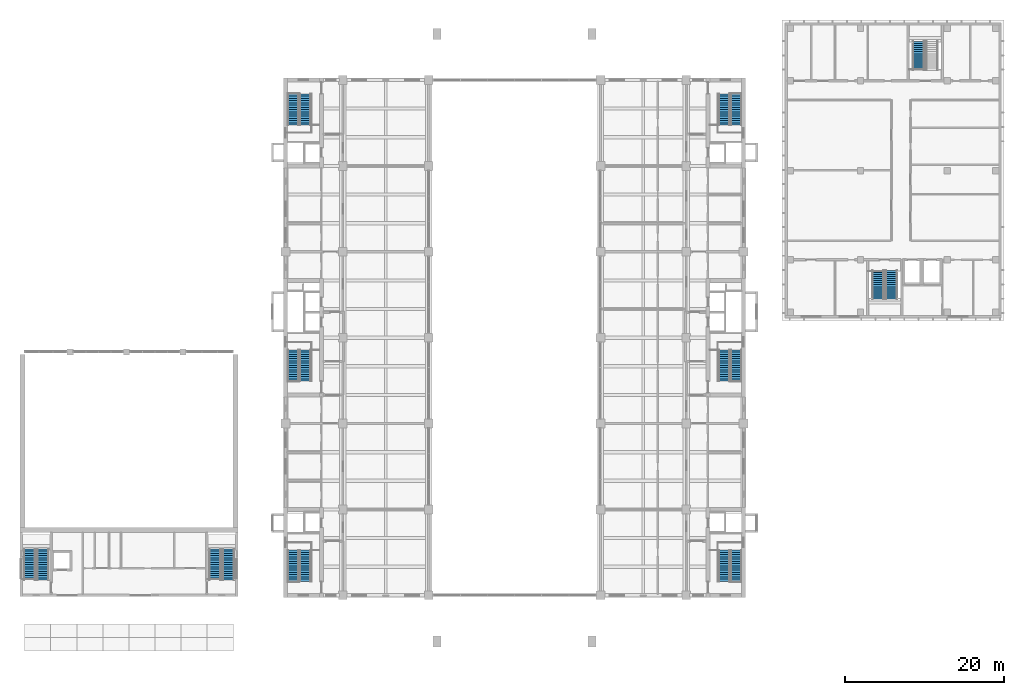
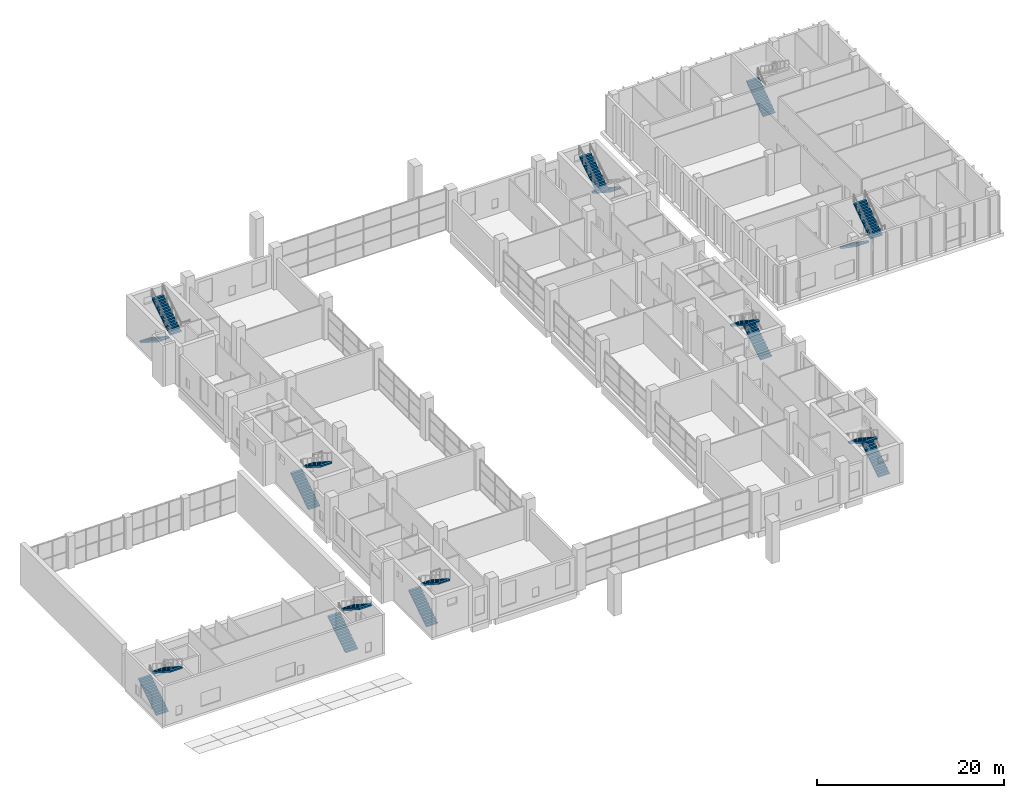
# One storey, part 27 of 33: 19 stair flights, 10 elements without a shape of their own.
"""IFC4 building model written with IfcOpenShell, lengths in metres."""

from ifc_helpers import new_model, si_unit, direction, frame, origin, place, context, subcontext, project, spatial, polyline, outline, extrude, material, type_object, element, aggregate, save


model = new_model("IFC4")

# Units and contexts
model_context = context("Model", 3, precision=1e-05, world=origin(), true_north=direction((0.0, 1.0)))
body_context = subcontext(model_context, "Body", "Model", "MODEL_VIEW")
ifc_project = project(units=[si_unit("LENGTHUNIT", "METRE"), si_unit("AREAUNIT", "SQUARE_METRE"), si_unit("VOLUMEUNIT", "CUBIC_METRE"), si_unit("PLANEANGLEUNIT", "RADIAN"), si_unit("MASSUNIT", "GRAM", prefix="KILO")], contexts=[model_context])

# Site, building, storey
site_placement = place(None, origin())
site = spatial("IfcSite", under=ifc_project, at=site_placement, CompositionType="ELEMENT")
building_placement = place(site_placement, origin())
building = spatial("IfcBuilding", under=site, at=building_placement, Name="Basin Gate Institute", CompositionType="ELEMENT")
storey_placement = place(building_placement, frame((0.0, 0.0, 6.0)))
storey = spatial("IfcBuildingStorey", under=building, at=storey_placement, Name="L01", CompositionType="ELEMENT", Elevation=6.0)

# Stair, stair flights
ifc_material_1 = material(Name="Concrete 40 MPa", Category="concrete")
stair_type_1 = type_object("IfcStairType", Name="Block stair ST", PredefinedType="HALF_TURN_STAIR", material=ifc_material_1)
stair_1_placement = place(storey_placement, origin())
stair_1 = element("IfcStair", 1, at=stair_1_placement, inside=storey, type_object=stair_type_1, material=ifc_material_1, Name="Theatre stair ST-T2 L01", PredefinedType="HALF_TURN_STAIR")
ifc_material_2 = material(Name="Concrete 40 MPa", Category="concrete")
stair_flight_type_1 = type_object("IfcStairFlightType", Name="Block stair flight", PredefinedType="STRAIGHT", material=ifc_material_2)
stair_flight_1_placement = place(storey_placement, frame((28.987548828125, 37.0, 0.0), z_axis=(0.0, 0.0, 1.0), x_axis=(0.0, 1.0, 0.0)))
stair_flight_1 = element("IfcStairFlight", 2, at=stair_flight_1_placement, type_object=stair_flight_type_1, material=ifc_material_2, Name="ST-T2 flight 1", NumberOfRisers=15, NumberOfTreads=14, PredefinedType="STRAIGHT", RiserHeight=0.18, TreadLength=0.28, context=body_context, shape_type="SweptSolid", body=[
    extrude(outline(polyline([(0.0, 0.0), (0.0, 0.179931640625), (0.280029296875, 0.179931640625), (0.280029296875, 0.360107421875), (0.56005859375, 0.360107421875), (0.56005859375, 0.5400390625), (0.840087890625, 0.5400390625), (0.840087890625, 0.719970703125), (1.1201171875, 0.719970703125), (1.1201171875, 0.89990234375), (1.39990234375, 0.89990234375), (1.39990234375, 1.080078125), (1.679931640625, 1.080078125), (1.679931640625, 1.260009765625), (1.9599609375, 1.260009765625), (1.9599609375, 1.43994140625), (2.239990234375, 1.43994140625), (2.239990234375, 1.6201171875), (2.52001953125, 1.6201171875), (2.52001953125, 1.800048828125), (2.800048828125, 1.800048828125), (2.800048828125, 1.97998046875), (3.080078125, 1.97998046875), (3.080078125, 2.159912109375), (3.360107421875, 2.159912109375), (3.360107421875, 2.340087890625), (3.639892578125, 2.340087890625), (3.639892578125, 2.52001953125), (3.919921875, 2.52001953125), (3.919921875, 2.699951171875), (3.919921875, 2.341796875), (0.277099609375, 0.0), (0.0, 0.0)])), frame((0.0, 0.75, 0.0), z_axis=(0.0, -1.0, 0.0), x_axis=(1.0, 0.0, 0.0)), (0.0, 0.0, 1.0), 1.5),
])
stair_flight_2_placement = place(storey_placement, frame((30.6875, 40.919921875, 2.699951171875), z_axis=(0.0, 0.0, 1.0), x_axis=(0.0, -1.0, 0.0)))
stair_flight_2 = element("IfcStairFlight", 3, at=stair_flight_2_placement, type_object=stair_flight_type_1, material=ifc_material_2, Name="ST-T2 flight 2", NumberOfRisers=15, NumberOfTreads=14, PredefinedType="STRAIGHT", RiserHeight=0.18, TreadLength=0.28, context=body_context, shape_type="SweptSolid", body=[
    extrude(outline(polyline([(0.0, 0.0), (0.0, 0.179931640625), (0.280029296875, 0.179931640625), (0.280029296875, 0.360107421875), (0.56005859375, 0.360107421875), (0.56005859375, 0.5400390625), (0.840087890625, 0.5400390625), (0.840087890625, 0.719970703125), (1.1201171875, 0.719970703125), (1.1201171875, 0.89990234375), (1.39990234375, 0.89990234375), (1.39990234375, 1.080078125), (1.679931640625, 1.080078125), (1.679931640625, 1.260009765625), (1.9599609375, 1.260009765625), (1.9599609375, 1.43994140625), (2.239990234375, 1.43994140625), (2.239990234375, 1.6201171875), (2.52001953125, 1.6201171875), (2.52001953125, 1.800048828125), (2.800048828125, 1.800048828125), (2.800048828125, 1.97998046875), (3.080078125, 1.97998046875), (3.080078125, 2.159912109375), (3.360107421875, 2.159912109375), (3.360107421875, 2.340087890625), (3.639892578125, 2.340087890625), (3.639892578125, 2.52001953125), (3.919921875, 2.52001953125), (3.919921875, 2.699951171875), (3.919921875, 2.341796875), (0.277099609375, 0.0), (0.0, 0.0)])), frame((0.0, 0.75, 0.0), z_axis=(0.0, -1.0, 0.0), x_axis=(1.0, 0.0, 0.0)), (0.0, 0.0, 1.0), 1.5),
])
aggregate(stair_1, [stair_flight_1, stair_flight_2])

stair_2_placement = place(storey_placement, origin())
stair_2 = element("IfcStair", 4, at=stair_2_placement, inside=storey, type_object=stair_type_1, material=ifc_material_1, Name="Theatre stair ST-T4 L01", PredefinedType="HALF_TURN_STAIR")
stair_flight_3_placement = place(storey_placement, frame((52.3125, 37.0, 0.0), z_axis=(0.0, 0.0, 1.0), x_axis=(0.0, 1.0, 0.0)))
stair_flight_3 = element("IfcStairFlight", 5, at=stair_flight_3_placement, type_object=stair_flight_type_1, material=ifc_material_2, Name="ST-T4 flight 1", NumberOfRisers=15, NumberOfTreads=14, PredefinedType="STRAIGHT", RiserHeight=0.18, TreadLength=0.28, context=body_context, shape_type="SweptSolid", body=[
    extrude(outline(polyline([(0.0, 0.0), (0.0, 0.179931640625), (0.280029296875, 0.179931640625), (0.280029296875, 0.360107421875), (0.56005859375, 0.360107421875), (0.56005859375, 0.5400390625), (0.840087890625, 0.5400390625), (0.840087890625, 0.719970703125), (1.1201171875, 0.719970703125), (1.1201171875, 0.89990234375), (1.39990234375, 0.89990234375), (1.39990234375, 1.080078125), (1.679931640625, 1.080078125), (1.679931640625, 1.260009765625), (1.9599609375, 1.260009765625), (1.9599609375, 1.43994140625), (2.239990234375, 1.43994140625), (2.239990234375, 1.6201171875), (2.52001953125, 1.6201171875), (2.52001953125, 1.800048828125), (2.800048828125, 1.800048828125), (2.800048828125, 1.97998046875), (3.080078125, 1.97998046875), (3.080078125, 2.159912109375), (3.360107421875, 2.159912109375), (3.360107421875, 2.340087890625), (3.639892578125, 2.340087890625), (3.639892578125, 2.52001953125), (3.919921875, 2.52001953125), (3.919921875, 2.699951171875), (3.919921875, 2.341796875), (0.277099609375, 0.0), (0.0, 0.0)])), frame((0.0, 0.75, 0.0), z_axis=(0.0, -1.0, 0.0), x_axis=(1.0, 0.0, 0.0)), (0.0, 0.0, 1.0), 1.5),
])
stair_flight_4_placement = place(storey_placement, frame((54.012451171875, 40.919921875, 2.699951171875), z_axis=(0.0, 0.0, 1.0), x_axis=(0.0, -1.0, 0.0)))
stair_flight_4 = element("IfcStairFlight", 6, at=stair_flight_4_placement, type_object=stair_flight_type_1, material=ifc_material_2, Name="ST-T4 flight 2", NumberOfRisers=15, NumberOfTreads=14, PredefinedType="STRAIGHT", RiserHeight=0.18, TreadLength=0.28, context=body_context, shape_type="SweptSolid", body=[
    extrude(outline(polyline([(0.0, 0.0), (0.0, 0.179931640625), (0.280029296875, 0.179931640625), (0.280029296875, 0.360107421875), (0.56005859375, 0.360107421875), (0.56005859375, 0.5400390625), (0.840087890625, 0.5400390625), (0.840087890625, 0.719970703125), (1.1201171875, 0.719970703125), (1.1201171875, 0.89990234375), (1.39990234375, 0.89990234375), (1.39990234375, 1.080078125), (1.679931640625, 1.080078125), (1.679931640625, 1.260009765625), (1.9599609375, 1.260009765625), (1.9599609375, 1.43994140625), (2.239990234375, 1.43994140625), (2.239990234375, 1.6201171875), (2.52001953125, 1.6201171875), (2.52001953125, 1.800048828125), (2.800048828125, 1.800048828125), (2.800048828125, 1.97998046875), (3.080078125, 1.97998046875), (3.080078125, 2.159912109375), (3.360107421875, 2.159912109375), (3.360107421875, 2.340087890625), (3.639892578125, 2.340087890625), (3.639892578125, 2.52001953125), (3.919921875, 2.52001953125), (3.919921875, 2.699951171875), (3.919921875, 2.341796875), (0.277099609375, 0.0), (0.0, 0.0)])), frame((0.0, 0.75, 0.0), z_axis=(0.0, -1.0, 0.0), x_axis=(1.0, 0.0, 0.0)), (0.0, 0.0, 1.0), 1.5),
])
aggregate(stair_2, [stair_flight_3, stair_flight_4])

stair_3_placement = place(storey_placement, origin())
stair_3 = element("IfcStair", 7, at=stair_3_placement, inside=storey, type_object=stair_type_1, material=ifc_material_1, Name="Clean block stair ST-C2 L01", PredefinedType="HALF_TURN_STAIR")
stair_flight_5_placement = place(storey_placement, frame((135.699951171875, 75.97509765625, 0.0), z_axis=(0.0, 0.0, 1.0), x_axis=(0.0, -1.0, 0.0)))
stair_flight_5 = element("IfcStairFlight", 8, at=stair_flight_5_placement, type_object=stair_flight_type_1, material=ifc_material_2, Name="ST-C2 flight 1", NumberOfRisers=15, NumberOfTreads=14, PredefinedType="STRAIGHT", RiserHeight=0.18, TreadLength=0.26, context=body_context, shape_type="SweptSolid", body=[
    extrude(outline(polyline([(0.0, 0.0), (0.0, 0.179931640625), (0.260009765625, 0.179931640625), (0.260009765625, 0.360107421875), (0.52001953125, 0.360107421875), (0.52001953125, 0.5400390625), (0.780029296875, 0.5400390625), (0.780029296875, 0.719970703125), (1.0400390625, 0.719970703125), (1.0400390625, 0.89990234375), (1.300048828125, 0.89990234375), (1.300048828125, 1.080078125), (1.56005859375, 1.080078125), (1.56005859375, 1.260009765625), (1.820068359375, 1.260009765625), (1.820068359375, 1.43994140625), (2.080078125, 1.43994140625), (2.080078125, 1.6201171875), (2.340087890625, 1.6201171875), (2.340087890625, 1.800048828125), (2.60009765625, 1.800048828125), (2.60009765625, 1.97998046875), (2.860107421875, 1.97998046875), (2.860107421875, 2.159912109375), (3.1201171875, 2.159912109375), (3.1201171875, 2.340087890625), (3.3798828125, 2.340087890625), (3.3798828125, 2.52001953125), (3.639892578125, 2.52001953125), (3.639892578125, 2.699951171875), (3.639892578125, 2.337646484375), (0.263427734375, 0.0), (0.0, 0.0)])), frame((0.0, 0.75, 0.0), z_axis=(0.0, -1.0, 0.0), x_axis=(1.0, 0.0, 0.0)), (0.0, 0.0, 1.0), 1.5),
])
stair_flight_6_placement = place(storey_placement, frame((137.39990234375, 72.3349609375, 2.699951171875), z_axis=(0.0, 0.0, 1.0), x_axis=(0.0, 1.0, 0.0)))
stair_flight_6 = element("IfcStairFlight", 9, at=stair_flight_6_placement, type_object=stair_flight_type_1, material=ifc_material_2, Name="ST-C2 flight 2", NumberOfRisers=15, NumberOfTreads=14, PredefinedType="STRAIGHT", RiserHeight=0.18, TreadLength=0.26, context=body_context, shape_type="SweptSolid", body=[
    extrude(outline(polyline([(0.0, 0.0), (0.0, 0.179931640625), (0.260009765625, 0.179931640625), (0.260009765625, 0.360107421875), (0.52001953125, 0.360107421875), (0.52001953125, 0.5400390625), (0.780029296875, 0.5400390625), (0.780029296875, 0.719970703125), (1.0400390625, 0.719970703125), (1.0400390625, 0.89990234375), (1.300048828125, 0.89990234375), (1.300048828125, 1.080078125), (1.56005859375, 1.080078125), (1.56005859375, 1.260009765625), (1.820068359375, 1.260009765625), (1.820068359375, 1.43994140625), (2.080078125, 1.43994140625), (2.080078125, 1.6201171875), (2.340087890625, 1.6201171875), (2.340087890625, 1.800048828125), (2.60009765625, 1.800048828125), (2.60009765625, 1.97998046875), (2.860107421875, 1.97998046875), (2.860107421875, 2.159912109375), (3.1201171875, 2.159912109375), (3.1201171875, 2.340087890625), (3.3798828125, 2.340087890625), (3.3798828125, 2.52001953125), (3.639892578125, 2.52001953125), (3.639892578125, 2.699951171875), (3.639892578125, 2.337646484375), (0.263427734375, 0.0), (0.0, 0.0)])), frame((0.0, 0.75, 0.0), z_axis=(0.0, -1.0, 0.0), x_axis=(1.0, 0.0, 0.0)), (0.0, 0.0, 1.0), 1.5),
])
aggregate(stair_3, [stair_flight_5, stair_flight_6])

# Stair, stair flight
stair_4_placement = place(storey_placement, origin())
stair_4 = element("IfcStair", 10, at=stair_4_placement, inside=storey, type_object=stair_type_1, material=ifc_material_1, Name="Clean block stair ST-C6 L01", PredefinedType="HALF_TURN_STAIR")
stair_flight_7_placement = place(storey_placement, frame((140.800048828125, 101.125, 0.0), z_axis=(0.0, 0.0, 1.0), x_axis=(0.0, 1.0, 0.0)))
stair_flight_7 = element("IfcStairFlight", 11, at=stair_flight_7_placement, type_object=stair_flight_type_1, material=ifc_material_2, Name="ST-C6 flight 1", NumberOfRisers=15, NumberOfTreads=14, PredefinedType="STRAIGHT", RiserHeight=0.18, TreadLength=0.26, context=body_context, shape_type="SweptSolid", body=[
    extrude(outline(polyline([(0.0, 0.0), (0.0, 0.179931640625), (0.260009765625, 0.179931640625), (0.260009765625, 0.360107421875), (0.52001953125, 0.360107421875), (0.52001953125, 0.5400390625), (0.780029296875, 0.5400390625), (0.780029296875, 0.719970703125), (1.0400390625, 0.719970703125), (1.0400390625, 0.89990234375), (1.300048828125, 0.89990234375), (1.300048828125, 1.080078125), (1.56005859375, 1.080078125), (1.56005859375, 1.260009765625), (1.820068359375, 1.260009765625), (1.820068359375, 1.43994140625), (2.080078125, 1.43994140625), (2.080078125, 1.6201171875), (2.340087890625, 1.6201171875), (2.340087890625, 1.800048828125), (2.60009765625, 1.800048828125), (2.60009765625, 1.97998046875), (2.860107421875, 1.97998046875), (2.860107421875, 2.159912109375), (3.1201171875, 2.159912109375), (3.1201171875, 2.340087890625), (3.3798828125, 2.340087890625), (3.3798828125, 2.52001953125), (3.639892578125, 2.52001953125), (3.639892578125, 2.699951171875), (3.639892578125, 2.337646484375), (0.263427734375, 0.0), (0.0, 0.0)])), frame((0.0, 0.75, 0.0), z_axis=(0.0, -1.0, 0.0), x_axis=(1.0, 0.0, 0.0)), (0.0, 0.0, 1.0), 1.5),
])
aggregate(stair_4, [stair_flight_7])

# Stair, stair flights
ifc_material_3 = material(Name="Concrete 40 MPa", Category="concrete")
stair_type_2 = type_object("IfcStairType", Name="Stair ST", PredefinedType="HALF_TURN_STAIR", material=ifc_material_3)
stair_5_placement = place(storey_placement, origin())
stair_5 = element("IfcStair", 12, at=stair_5_placement, inside=storey, type_object=stair_type_2, material=ifc_material_3, Name="Special safe stair ST-WS L01", PredefinedType="HALF_TURN_STAIR")
ifc_material_4 = material(Name="Concrete 40 MPa", Category="concrete")
stair_flight_type_2 = type_object("IfcStairFlightType", Name="Stair flight FL", PredefinedType="STRAIGHT", material=ifc_material_4)
stair_flight_8_placement = place(storey_placement, frame((62.14990234375, 36.85009765625, 0.0), z_axis=(0.0, 0.0, 1.0), x_axis=(0.0, 1.0, 0.0)))
stair_flight_8 = element("IfcStairFlight", 13, at=stair_flight_8_placement, type_object=stair_flight_type_2, material=ifc_material_4, Name="Stair flight ST-WS-F1 L01", NumberOfRisers=15, NumberOfTreads=14, PredefinedType="STRAIGHT", RiserHeight=0.18, TreadLength=0.28, context=body_context, shape_type="SweptSolid", body=[
    extrude(outline(polyline([(0.0, 0.0), (0.0, 0.179931640625), (0.280029296875, 0.179931640625), (0.280029296875, 0.360107421875), (0.56005859375, 0.360107421875), (0.56005859375, 0.5400390625), (0.840087890625, 0.5400390625), (0.840087890625, 0.719970703125), (1.1201171875, 0.719970703125), (1.1201171875, 0.89990234375), (1.39990234375, 0.89990234375), (1.39990234375, 1.080078125), (1.679931640625, 1.080078125), (1.679931640625, 1.260009765625), (1.9599609375, 1.260009765625), (1.9599609375, 1.43994140625), (2.239990234375, 1.43994140625), (2.239990234375, 1.6201171875), (2.52001953125, 1.6201171875), (2.52001953125, 1.800048828125), (2.800048828125, 1.800048828125), (2.800048828125, 1.97998046875), (3.080078125, 1.97998046875), (3.080078125, 2.159912109375), (3.360107421875, 2.159912109375), (3.360107421875, 2.340087890625), (3.639892578125, 2.340087890625), (3.639892578125, 2.52001953125), (3.919921875, 2.52001953125), (3.919921875, 2.699951171875), (3.919921875, 2.341796875), (0.277099609375, 0.0), (0.0, 0.0)])), frame((0.0, 0.699951171875, 0.0), z_axis=(0.0, -1.0, 0.0), x_axis=(1.0, 0.0, 0.0)), (0.0, 0.0, 1.0), 1.39990234375),
])
stair_flight_9_placement = place(storey_placement, frame((63.64990234375, 40.77001953125, 2.699951171875), z_axis=(0.0, 0.0, 1.0), x_axis=(0.0, -1.0, 0.0)))
stair_flight_9 = element("IfcStairFlight", 14, at=stair_flight_9_placement, type_object=stair_flight_type_2, material=ifc_material_4, Name="Stair flight ST-WS-F2 L01", NumberOfRisers=15, NumberOfTreads=14, PredefinedType="STRAIGHT", RiserHeight=0.18, TreadLength=0.28, context=body_context, shape_type="SweptSolid", body=[
    extrude(outline(polyline([(0.0, 0.0), (0.0, 0.179931640625), (0.280029296875, 0.179931640625), (0.280029296875, 0.360107421875), (0.56005859375, 0.360107421875), (0.56005859375, 0.5400390625), (0.840087890625, 0.5400390625), (0.840087890625, 0.719970703125), (1.1201171875, 0.719970703125), (1.1201171875, 0.89990234375), (1.39990234375, 0.89990234375), (1.39990234375, 1.080078125), (1.679931640625, 1.080078125), (1.679931640625, 1.260009765625), (1.9599609375, 1.260009765625), (1.9599609375, 1.43994140625), (2.239990234375, 1.43994140625), (2.239990234375, 1.6201171875), (2.52001953125, 1.6201171875), (2.52001953125, 1.800048828125), (2.800048828125, 1.800048828125), (2.800048828125, 1.97998046875), (3.080078125, 1.97998046875), (3.080078125, 2.159912109375), (3.360107421875, 2.159912109375), (3.360107421875, 2.340087890625), (3.639892578125, 2.340087890625), (3.639892578125, 2.52001953125), (3.919921875, 2.52001953125), (3.919921875, 2.699951171875), (3.919921875, 2.341796875), (0.277099609375, 0.0), (0.0, 0.0)])), frame((0.0, 0.699951171875, 0.0), z_axis=(0.0, -1.0, 0.0), x_axis=(1.0, 0.0, 0.0)), (0.0, 0.0, 1.0), 1.39990234375),
])
aggregate(stair_5, [stair_flight_8, stair_flight_9])

stair_6_placement = place(storey_placement, origin())
stair_6 = element("IfcStair", 15, at=stair_6_placement, inside=storey, type_object=stair_type_2, material=ifc_material_3, Name="Special safe stair ST-WM L01", PredefinedType="HALF_TURN_STAIR")
stair_flight_10_placement = place(storey_placement, frame((62.14990234375, 62.050048828125, 0.0), z_axis=(0.0, 0.0, 1.0), x_axis=(0.0, 1.0, 0.0)))
stair_flight_10 = element("IfcStairFlight", 16, at=stair_flight_10_placement, type_object=stair_flight_type_2, material=ifc_material_4, Name="Stair flight ST-WM-F1 L01", NumberOfRisers=15, NumberOfTreads=14, PredefinedType="STRAIGHT", RiserHeight=0.18, TreadLength=0.28, context=body_context, shape_type="SweptSolid", body=[
    extrude(outline(polyline([(0.0, 0.0), (0.0, 0.179931640625), (0.280029296875, 0.179931640625), (0.280029296875, 0.360107421875), (0.56005859375, 0.360107421875), (0.56005859375, 0.5400390625), (0.840087890625, 0.5400390625), (0.840087890625, 0.719970703125), (1.1201171875, 0.719970703125), (1.1201171875, 0.89990234375), (1.39990234375, 0.89990234375), (1.39990234375, 1.080078125), (1.679931640625, 1.080078125), (1.679931640625, 1.260009765625), (1.9599609375, 1.260009765625), (1.9599609375, 1.43994140625), (2.239990234375, 1.43994140625), (2.239990234375, 1.6201171875), (2.52001953125, 1.6201171875), (2.52001953125, 1.800048828125), (2.800048828125, 1.800048828125), (2.800048828125, 1.97998046875), (3.080078125, 1.97998046875), (3.080078125, 2.159912109375), (3.360107421875, 2.159912109375), (3.360107421875, 2.340087890625), (3.639892578125, 2.340087890625), (3.639892578125, 2.52001953125), (3.919921875, 2.52001953125), (3.919921875, 2.699951171875), (3.919921875, 2.341796875), (0.277099609375, 0.0), (0.0, 0.0)])), frame((0.0, 0.699951171875, 0.0), z_axis=(0.0, -1.0, 0.0), x_axis=(1.0, 0.0, 0.0)), (0.0, 0.0, 1.0), 1.39990234375),
])
stair_flight_11_placement = place(storey_placement, frame((63.64990234375, 65.969970703125, 2.699951171875), z_axis=(0.0, 0.0, 1.0), x_axis=(0.0, -1.0, 0.0)))
stair_flight_11 = element("IfcStairFlight", 17, at=stair_flight_11_placement, type_object=stair_flight_type_2, material=ifc_material_4, Name="Stair flight ST-WM-F2 L01", NumberOfRisers=15, NumberOfTreads=14, PredefinedType="STRAIGHT", RiserHeight=0.18, TreadLength=0.28, context=body_context, shape_type="SweptSolid", body=[
    extrude(outline(polyline([(0.0, 0.0), (0.0, 0.179931640625), (0.280029296875, 0.179931640625), (0.280029296875, 0.360107421875), (0.56005859375, 0.360107421875), (0.56005859375, 0.5400390625), (0.840087890625, 0.5400390625), (0.840087890625, 0.719970703125), (1.1201171875, 0.719970703125), (1.1201171875, 0.89990234375), (1.39990234375, 0.89990234375), (1.39990234375, 1.080078125), (1.679931640625, 1.080078125), (1.679931640625, 1.260009765625), (1.9599609375, 1.260009765625), (1.9599609375, 1.43994140625), (2.239990234375, 1.43994140625), (2.239990234375, 1.6201171875), (2.52001953125, 1.6201171875), (2.52001953125, 1.800048828125), (2.800048828125, 1.800048828125), (2.800048828125, 1.97998046875), (3.080078125, 1.97998046875), (3.080078125, 2.159912109375), (3.360107421875, 2.159912109375), (3.360107421875, 2.340087890625), (3.639892578125, 2.340087890625), (3.639892578125, 2.52001953125), (3.919921875, 2.52001953125), (3.919921875, 2.699951171875), (3.919921875, 2.341796875), (0.277099609375, 0.0), (0.0, 0.0)])), frame((0.0, 0.699951171875, 0.0), z_axis=(0.0, -1.0, 0.0), x_axis=(1.0, 0.0, 0.0)), (0.0, 0.0, 1.0), 1.39990234375),
])
aggregate(stair_6, [stair_flight_10, stair_flight_11])

stair_7_placement = place(storey_placement, origin())
stair_7 = element("IfcStair", 18, at=stair_7_placement, inside=storey, type_object=stair_type_2, material=ifc_material_3, Name="Special safe stair ST-WN L01", PredefinedType="HALF_TURN_STAIR")
stair_flight_12_placement = place(storey_placement, frame((62.14990234375, 98.14990234375, 0.0), z_axis=(0.0, 0.0, 1.0), x_axis=(0.0, -1.0, 0.0)))
stair_flight_12 = element("IfcStairFlight", 19, at=stair_flight_12_placement, type_object=stair_flight_type_2, material=ifc_material_4, Name="Stair flight ST-WN-F1 L01", NumberOfRisers=15, NumberOfTreads=14, PredefinedType="STRAIGHT", RiserHeight=0.18, TreadLength=0.28, context=body_context, shape_type="SweptSolid", body=[
    extrude(outline(polyline([(0.0, 0.0), (0.0, 0.179931640625), (0.280029296875, 0.179931640625), (0.280029296875, 0.360107421875), (0.56005859375, 0.360107421875), (0.56005859375, 0.5400390625), (0.840087890625, 0.5400390625), (0.840087890625, 0.719970703125), (1.1201171875, 0.719970703125), (1.1201171875, 0.89990234375), (1.39990234375, 0.89990234375), (1.39990234375, 1.080078125), (1.679931640625, 1.080078125), (1.679931640625, 1.260009765625), (1.9599609375, 1.260009765625), (1.9599609375, 1.43994140625), (2.239990234375, 1.43994140625), (2.239990234375, 1.6201171875), (2.52001953125, 1.6201171875), (2.52001953125, 1.800048828125), (2.800048828125, 1.800048828125), (2.800048828125, 1.97998046875), (3.080078125, 1.97998046875), (3.080078125, 2.159912109375), (3.360107421875, 2.159912109375), (3.360107421875, 2.340087890625), (3.639892578125, 2.340087890625), (3.639892578125, 2.52001953125), (3.919921875, 2.52001953125), (3.919921875, 2.699951171875), (3.919921875, 2.341796875), (0.277099609375, 0.0), (0.0, 0.0)])), frame((0.0, 0.699951171875, 0.0), z_axis=(0.0, -1.0, 0.0), x_axis=(1.0, 0.0, 0.0)), (0.0, 0.0, 1.0), 1.39990234375),
])
stair_flight_13_placement = place(storey_placement, frame((63.64990234375, 94.22998046875, 2.699951171875), z_axis=(0.0, 0.0, 1.0), x_axis=(0.0, 1.0, 0.0)))
stair_flight_13 = element("IfcStairFlight", 20, at=stair_flight_13_placement, type_object=stair_flight_type_2, material=ifc_material_4, Name="Stair flight ST-WN-F2 L01", NumberOfRisers=15, NumberOfTreads=14, PredefinedType="STRAIGHT", RiserHeight=0.18, TreadLength=0.28, context=body_context, shape_type="SweptSolid", body=[
    extrude(outline(polyline([(0.0, 0.0), (0.0, 0.179931640625), (0.280029296875, 0.179931640625), (0.280029296875, 0.360107421875), (0.56005859375, 0.360107421875), (0.56005859375, 0.5400390625), (0.840087890625, 0.5400390625), (0.840087890625, 0.719970703125), (1.1201171875, 0.719970703125), (1.1201171875, 0.89990234375), (1.39990234375, 0.89990234375), (1.39990234375, 1.080078125), (1.679931640625, 1.080078125), (1.679931640625, 1.260009765625), (1.9599609375, 1.260009765625), (1.9599609375, 1.43994140625), (2.239990234375, 1.43994140625), (2.239990234375, 1.6201171875), (2.52001953125, 1.6201171875), (2.52001953125, 1.800048828125), (2.800048828125, 1.800048828125), (2.800048828125, 1.97998046875), (3.080078125, 1.97998046875), (3.080078125, 2.159912109375), (3.360107421875, 2.159912109375), (3.360107421875, 2.340087890625), (3.639892578125, 2.340087890625), (3.639892578125, 2.52001953125), (3.919921875, 2.52001953125), (3.919921875, 2.699951171875), (3.919921875, 2.341796875), (0.277099609375, 0.0), (0.0, 0.0)])), frame((0.0, 0.699951171875, 0.0), z_axis=(0.0, -1.0, 0.0), x_axis=(1.0, 0.0, 0.0)), (0.0, 0.0, 1.0), 1.39990234375),
])
aggregate(stair_7, [stair_flight_12, stair_flight_13])

stair_8_placement = place(storey_placement, origin())
stair_8 = element("IfcStair", 21, at=stair_8_placement, inside=storey, type_object=stair_type_2, material=ifc_material_3, Name="Special safe stair ST-ES L01", PredefinedType="HALF_TURN_STAIR")
stair_flight_14_placement = place(storey_placement, frame((117.85009765625, 36.85009765625, 0.0), z_axis=(0.0, 0.0, 1.0), x_axis=(0.0, 1.0, 0.0)))
stair_flight_14 = element("IfcStairFlight", 22, at=stair_flight_14_placement, type_object=stair_flight_type_2, material=ifc_material_4, Name="Stair flight ST-ES-F1 L01", NumberOfRisers=15, NumberOfTreads=14, PredefinedType="STRAIGHT", RiserHeight=0.18, TreadLength=0.28, context=body_context, shape_type="SweptSolid", body=[
    extrude(outline(polyline([(0.0, 0.0), (0.0, 0.179931640625), (0.280029296875, 0.179931640625), (0.280029296875, 0.360107421875), (0.56005859375, 0.360107421875), (0.56005859375, 0.5400390625), (0.840087890625, 0.5400390625), (0.840087890625, 0.719970703125), (1.1201171875, 0.719970703125), (1.1201171875, 0.89990234375), (1.39990234375, 0.89990234375), (1.39990234375, 1.080078125), (1.679931640625, 1.080078125), (1.679931640625, 1.260009765625), (1.9599609375, 1.260009765625), (1.9599609375, 1.43994140625), (2.239990234375, 1.43994140625), (2.239990234375, 1.6201171875), (2.52001953125, 1.6201171875), (2.52001953125, 1.800048828125), (2.800048828125, 1.800048828125), (2.800048828125, 1.97998046875), (3.080078125, 1.97998046875), (3.080078125, 2.159912109375), (3.360107421875, 2.159912109375), (3.360107421875, 2.340087890625), (3.639892578125, 2.340087890625), (3.639892578125, 2.52001953125), (3.919921875, 2.52001953125), (3.919921875, 2.699951171875), (3.919921875, 2.341796875), (0.277099609375, 0.0), (0.0, 0.0)])), frame((0.0, 0.699951171875, 0.0), z_axis=(0.0, -1.0, 0.0), x_axis=(1.0, 0.0, 0.0)), (0.0, 0.0, 1.0), 1.39990234375),
])
stair_flight_15_placement = place(storey_placement, frame((116.35009765625, 40.77001953125, 2.699951171875), z_axis=(0.0, 0.0, 1.0), x_axis=(0.0, -1.0, 0.0)))
stair_flight_15 = element("IfcStairFlight", 23, at=stair_flight_15_placement, type_object=stair_flight_type_2, material=ifc_material_4, Name="Stair flight ST-ES-F2 L01", NumberOfRisers=15, NumberOfTreads=14, PredefinedType="STRAIGHT", RiserHeight=0.18, TreadLength=0.28, context=body_context, shape_type="SweptSolid", body=[
    extrude(outline(polyline([(0.0, 0.0), (0.0, 0.179931640625), (0.280029296875, 0.179931640625), (0.280029296875, 0.360107421875), (0.56005859375, 0.360107421875), (0.56005859375, 0.5400390625), (0.840087890625, 0.5400390625), (0.840087890625, 0.719970703125), (1.1201171875, 0.719970703125), (1.1201171875, 0.89990234375), (1.39990234375, 0.89990234375), (1.39990234375, 1.080078125), (1.679931640625, 1.080078125), (1.679931640625, 1.260009765625), (1.9599609375, 1.260009765625), (1.9599609375, 1.43994140625), (2.239990234375, 1.43994140625), (2.239990234375, 1.6201171875), (2.52001953125, 1.6201171875), (2.52001953125, 1.800048828125), (2.800048828125, 1.800048828125), (2.800048828125, 1.97998046875), (3.080078125, 1.97998046875), (3.080078125, 2.159912109375), (3.360107421875, 2.159912109375), (3.360107421875, 2.340087890625), (3.639892578125, 2.340087890625), (3.639892578125, 2.52001953125), (3.919921875, 2.52001953125), (3.919921875, 2.699951171875), (3.919921875, 2.341796875), (0.277099609375, 0.0), (0.0, 0.0)])), frame((0.0, 0.699951171875, 0.0), z_axis=(0.0, -1.0, 0.0), x_axis=(1.0, 0.0, 0.0)), (0.0, 0.0, 1.0), 1.39990234375),
])
aggregate(stair_8, [stair_flight_14, stair_flight_15])

stair_9_placement = place(storey_placement, origin())
stair_9 = element("IfcStair", 24, at=stair_9_placement, inside=storey, type_object=stair_type_2, material=ifc_material_3, Name="Special safe stair ST-EM L01", PredefinedType="HALF_TURN_STAIR")
stair_flight_16_placement = place(storey_placement, frame((117.85009765625, 62.050048828125, 0.0), z_axis=(0.0, 0.0, 1.0), x_axis=(0.0, 1.0, 0.0)))
stair_flight_16 = element("IfcStairFlight", 25, at=stair_flight_16_placement, type_object=stair_flight_type_2, material=ifc_material_4, Name="Stair flight ST-EM-F1 L01", NumberOfRisers=15, NumberOfTreads=14, PredefinedType="STRAIGHT", RiserHeight=0.18, TreadLength=0.28, context=body_context, shape_type="SweptSolid", body=[
    extrude(outline(polyline([(0.0, 0.0), (0.0, 0.179931640625), (0.280029296875, 0.179931640625), (0.280029296875, 0.360107421875), (0.56005859375, 0.360107421875), (0.56005859375, 0.5400390625), (0.840087890625, 0.5400390625), (0.840087890625, 0.719970703125), (1.1201171875, 0.719970703125), (1.1201171875, 0.89990234375), (1.39990234375, 0.89990234375), (1.39990234375, 1.080078125), (1.679931640625, 1.080078125), (1.679931640625, 1.260009765625), (1.9599609375, 1.260009765625), (1.9599609375, 1.43994140625), (2.239990234375, 1.43994140625), (2.239990234375, 1.6201171875), (2.52001953125, 1.6201171875), (2.52001953125, 1.800048828125), (2.800048828125, 1.800048828125), (2.800048828125, 1.97998046875), (3.080078125, 1.97998046875), (3.080078125, 2.159912109375), (3.360107421875, 2.159912109375), (3.360107421875, 2.340087890625), (3.639892578125, 2.340087890625), (3.639892578125, 2.52001953125), (3.919921875, 2.52001953125), (3.919921875, 2.699951171875), (3.919921875, 2.341796875), (0.277099609375, 0.0), (0.0, 0.0)])), frame((0.0, 0.699951171875, 0.0), z_axis=(0.0, -1.0, 0.0), x_axis=(1.0, 0.0, 0.0)), (0.0, 0.0, 1.0), 1.39990234375),
])
stair_flight_17_placement = place(storey_placement, frame((116.35009765625, 65.969970703125, 2.699951171875), z_axis=(0.0, 0.0, 1.0), x_axis=(0.0, -1.0, 0.0)))
stair_flight_17 = element("IfcStairFlight", 26, at=stair_flight_17_placement, type_object=stair_flight_type_2, material=ifc_material_4, Name="Stair flight ST-EM-F2 L01", NumberOfRisers=15, NumberOfTreads=14, PredefinedType="STRAIGHT", RiserHeight=0.18, TreadLength=0.28, context=body_context, shape_type="SweptSolid", body=[
    extrude(outline(polyline([(0.0, 0.0), (0.0, 0.179931640625), (0.280029296875, 0.179931640625), (0.280029296875, 0.360107421875), (0.56005859375, 0.360107421875), (0.56005859375, 0.5400390625), (0.840087890625, 0.5400390625), (0.840087890625, 0.719970703125), (1.1201171875, 0.719970703125), (1.1201171875, 0.89990234375), (1.39990234375, 0.89990234375), (1.39990234375, 1.080078125), (1.679931640625, 1.080078125), (1.679931640625, 1.260009765625), (1.9599609375, 1.260009765625), (1.9599609375, 1.43994140625), (2.239990234375, 1.43994140625), (2.239990234375, 1.6201171875), (2.52001953125, 1.6201171875), (2.52001953125, 1.800048828125), (2.800048828125, 1.800048828125), (2.800048828125, 1.97998046875), (3.080078125, 1.97998046875), (3.080078125, 2.159912109375), (3.360107421875, 2.159912109375), (3.360107421875, 2.340087890625), (3.639892578125, 2.340087890625), (3.639892578125, 2.52001953125), (3.919921875, 2.52001953125), (3.919921875, 2.699951171875), (3.919921875, 2.341796875), (0.277099609375, 0.0), (0.0, 0.0)])), frame((0.0, 0.699951171875, 0.0), z_axis=(0.0, -1.0, 0.0), x_axis=(1.0, 0.0, 0.0)), (0.0, 0.0, 1.0), 1.39990234375),
])
aggregate(stair_9, [stair_flight_16, stair_flight_17])

stair_10_placement = place(storey_placement, origin())
stair_10 = element("IfcStair", 27, at=stair_10_placement, inside=storey, type_object=stair_type_2, material=ifc_material_3, Name="Special safe stair ST-EN L01", PredefinedType="HALF_TURN_STAIR")
stair_flight_18_placement = place(storey_placement, frame((117.85009765625, 98.14990234375, 0.0), z_axis=(0.0, 0.0, 1.0), x_axis=(0.0, -1.0, 0.0)))
stair_flight_18 = element("IfcStairFlight", 28, at=stair_flight_18_placement, type_object=stair_flight_type_2, material=ifc_material_4, Name="Stair flight ST-EN-F1 L01", NumberOfRisers=15, NumberOfTreads=14, PredefinedType="STRAIGHT", RiserHeight=0.18, TreadLength=0.28, context=body_context, shape_type="SweptSolid", body=[
    extrude(outline(polyline([(0.0, 0.0), (0.0, 0.179931640625), (0.280029296875, 0.179931640625), (0.280029296875, 0.360107421875), (0.56005859375, 0.360107421875), (0.56005859375, 0.5400390625), (0.840087890625, 0.5400390625), (0.840087890625, 0.719970703125), (1.1201171875, 0.719970703125), (1.1201171875, 0.89990234375), (1.39990234375, 0.89990234375), (1.39990234375, 1.080078125), (1.679931640625, 1.080078125), (1.679931640625, 1.260009765625), (1.9599609375, 1.260009765625), (1.9599609375, 1.43994140625), (2.239990234375, 1.43994140625), (2.239990234375, 1.6201171875), (2.52001953125, 1.6201171875), (2.52001953125, 1.800048828125), (2.800048828125, 1.800048828125), (2.800048828125, 1.97998046875), (3.080078125, 1.97998046875), (3.080078125, 2.159912109375), (3.360107421875, 2.159912109375), (3.360107421875, 2.340087890625), (3.639892578125, 2.340087890625), (3.639892578125, 2.52001953125), (3.919921875, 2.52001953125), (3.919921875, 2.699951171875), (3.919921875, 2.341796875), (0.277099609375, 0.0), (0.0, 0.0)])), frame((0.0, 0.699951171875, 0.0), z_axis=(0.0, -1.0, 0.0), x_axis=(1.0, 0.0, 0.0)), (0.0, 0.0, 1.0), 1.39990234375),
])
stair_flight_19_placement = place(storey_placement, frame((116.35009765625, 94.22998046875, 2.699951171875), z_axis=(0.0, 0.0, 1.0), x_axis=(0.0, 1.0, 0.0)))
stair_flight_19 = element("IfcStairFlight", 29, at=stair_flight_19_placement, type_object=stair_flight_type_2, material=ifc_material_4, Name="Stair flight ST-EN-F2 L01", NumberOfRisers=15, NumberOfTreads=14, PredefinedType="STRAIGHT", RiserHeight=0.18, TreadLength=0.28, context=body_context, shape_type="SweptSolid", body=[
    extrude(outline(polyline([(0.0, 0.0), (0.0, 0.179931640625), (0.280029296875, 0.179931640625), (0.280029296875, 0.360107421875), (0.56005859375, 0.360107421875), (0.56005859375, 0.5400390625), (0.840087890625, 0.5400390625), (0.840087890625, 0.719970703125), (1.1201171875, 0.719970703125), (1.1201171875, 0.89990234375), (1.39990234375, 0.89990234375), (1.39990234375, 1.080078125), (1.679931640625, 1.080078125), (1.679931640625, 1.260009765625), (1.9599609375, 1.260009765625), (1.9599609375, 1.43994140625), (2.239990234375, 1.43994140625), (2.239990234375, 1.6201171875), (2.52001953125, 1.6201171875), (2.52001953125, 1.800048828125), (2.800048828125, 1.800048828125), (2.800048828125, 1.97998046875), (3.080078125, 1.97998046875), (3.080078125, 2.159912109375), (3.360107421875, 2.159912109375), (3.360107421875, 2.340087890625), (3.639892578125, 2.340087890625), (3.639892578125, 2.52001953125), (3.919921875, 2.52001953125), (3.919921875, 2.699951171875), (3.919921875, 2.341796875), (0.277099609375, 0.0), (0.0, 0.0)])), frame((0.0, 0.699951171875, 0.0), z_axis=(0.0, -1.0, 0.0), x_axis=(1.0, 0.0, 0.0)), (0.0, 0.0, 1.0), 1.39990234375),
])
aggregate(stair_10, [stair_flight_18, stair_flight_19])

save(model, "model.ifc")
